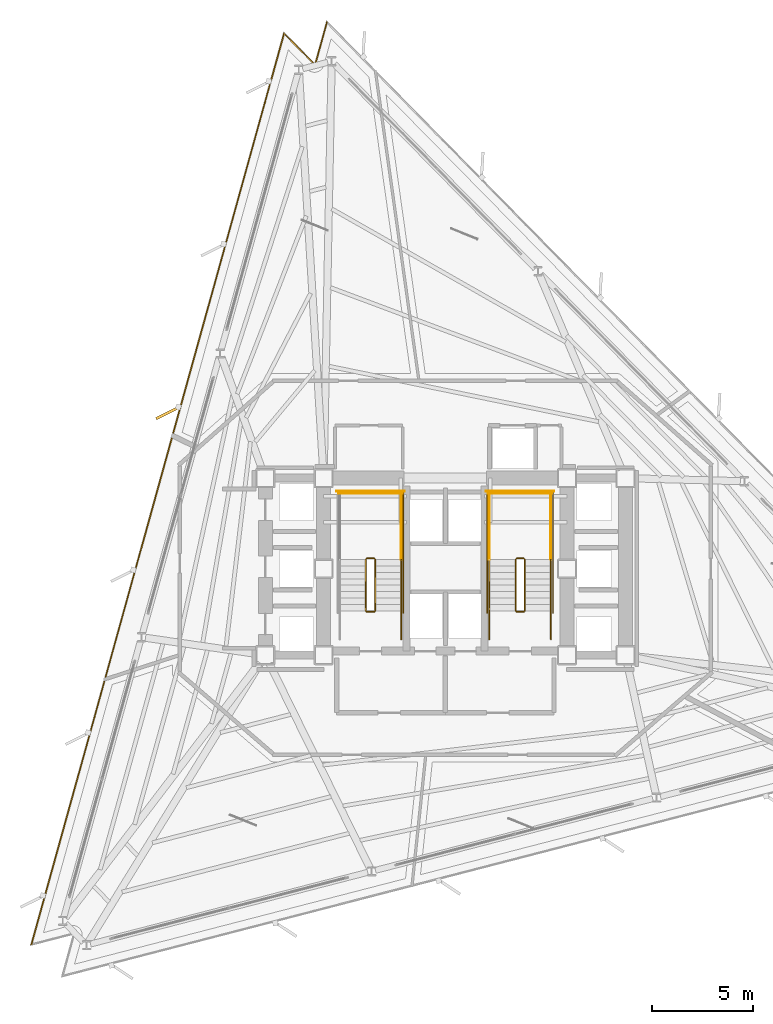
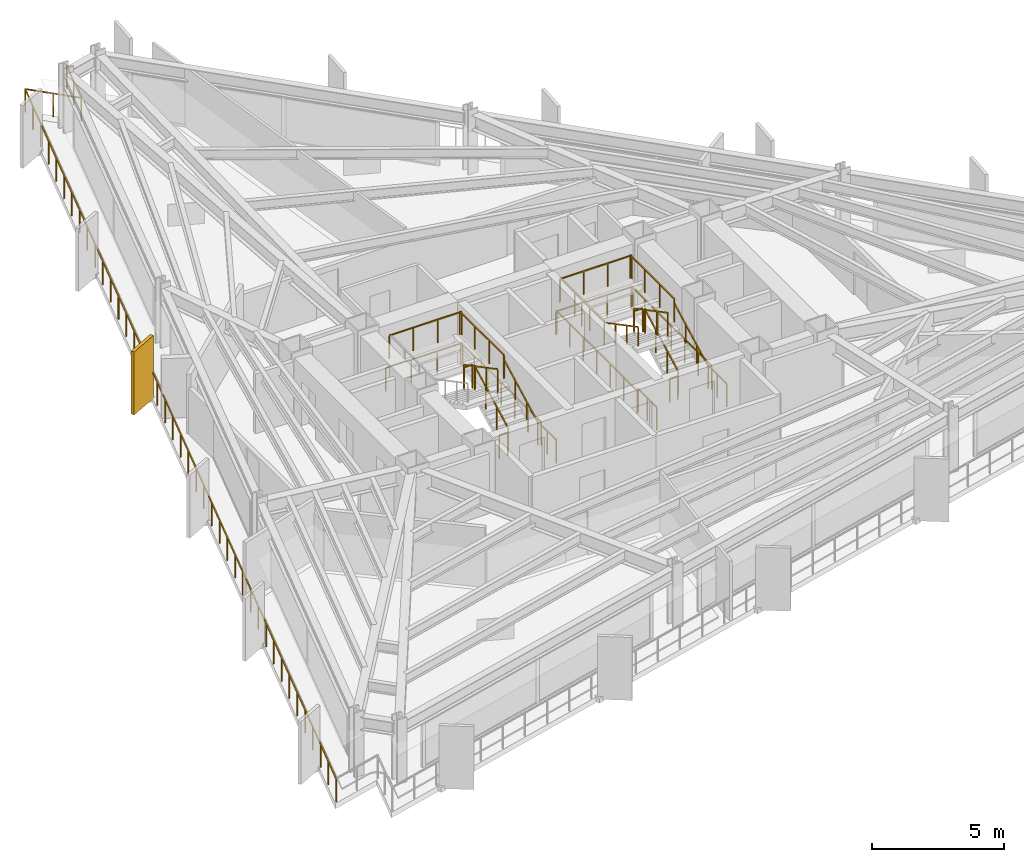
# One storey, part 10 of 11: 25 railings, 1 shading device.
"""IFC4 building model written with IfcOpenShell, lengths in metres."""

from ifc_helpers import new_model, si_unit, direction, frame, origin, origin_2d, place, context, subcontext, project, spatial, rectangle, extrude, material, layer, layer_set, type_object, element, save


model = new_model("IFC4")

# Units and contexts
model_context = context("Model", 3, precision=1e-05, world=origin(), true_north=direction((0.0, 1.0)))
body_context = subcontext(model_context, "Body", "Model", "MODEL_VIEW")
ifc_project = project(units=[si_unit("LENGTHUNIT", "METRE"), si_unit("AREAUNIT", "SQUARE_METRE"), si_unit("VOLUMEUNIT", "CUBIC_METRE"), si_unit("PLANEANGLEUNIT", "RADIAN"), si_unit("MASSUNIT", "GRAM", prefix="KILO")], contexts=[model_context])

# Site, building, storey
site_placement = place(None, origin())
site = spatial("IfcSite", under=ifc_project, at=site_placement, CompositionType="ELEMENT")
building_placement = place(site_placement, origin())
building = spatial("IfcBuilding", under=site, at=building_placement, Name="Rocaltana Carrier Exchange", CompositionType="ELEMENT")
storey_placement = place(building_placement, frame((0.0, 0.0, 85.60009765625)))
storey = spatial("IfcBuildingStorey", under=building, at=storey_placement, Name="L26", CompositionType="ELEMENT", Elevation=85.60009765625)

# Railings
ifc_material_1 = material(Name="Brushed Architectural Stainless Tube", Category="steel")
ifc_layer_1 = layer(ifc_material_1, 0.048095703125)
ifc_layer_set_1 = layer_set([ifc_layer_1], Name="Brushed Architectural Stainless Tube")
railing_type_1 = type_object("IfcRailingType", Name="Stair Wall Handrail 920", PredefinedType="HANDRAIL", material=ifc_layer_set_1)
for number, where, name in (
    (1, (-2.18994140625, -2.10009765625, 0.168701171875), "L26 ST-1 stair handrail 1"),
    (2, (5.25, -2.10009765625, 0.168701171875), "L26 ST-2 stair handrail 1"),
):
    element("IfcRailing", number, at=place(storey_placement, frame(where)), inside=storey, type_object=railing_type_1, Name=name, PredefinedType="HANDRAIL", context=body_context, shape_type="SweptSolid", body=[
        extrude(rectangle(XDim=0.048095703125, YDim=0.048095703125, at=origin_2d()), frame((0.0, 0.0, 0.8759765625), z_axis=(0.0, 0.884359608194, 0.46680625895), x_axis=(-1.0, 0.0, 0.0)), (0.0, 0.0, 1.0), 2.894775390625),
        extrude(rectangle(XDim=0.0419921875, YDim=0.0419921875, at=origin_2d()), origin(), (0.0, 0.0, 1.0), 0.851806640625),
        extrude(rectangle(XDim=0.0419921875, YDim=0.0419921875, at=origin_2d()), frame((0.0, 0.853271484375, 0.450439453125)), (0.0, 0.0, 1.0), 0.851806640625),
        extrude(rectangle(XDim=0.0419921875, YDim=0.0419921875, at=origin_2d()), frame((0.0, 1.706787109375, 0.90087890625)), (0.0, 0.0, 1.0), 0.851806640625),
        extrude(rectangle(XDim=0.0419921875, YDim=0.0419921875, at=origin_2d()), frame((0.0, 2.56005859375, 1.351318359375)), (0.0, 0.0, 1.0), 0.851806640625),
    ])
railing_1_placement = place(storey_placement, frame((2.18994140625, 0.4599609375, 1.688720703125)))
element("IfcRailing", 3, at=railing_1_placement, inside=storey, type_object=railing_type_1, Name="L26 ST-2 stair handrail 2", PredefinedType="HANDRAIL", context=body_context, shape_type="SweptSolid", body=[
    extrude(rectangle(XDim=0.048095703125, YDim=0.048095703125, at=origin_2d()), frame((0.0, 0.0, 0.8759765625), z_axis=(0.0, -0.884394423565, 0.466740295633), x_axis=(1.0, 0.0, 0.0)), (0.0, 0.0, 1.0), 2.894775390625),
    extrude(rectangle(XDim=0.0419921875, YDim=0.0419921875, at=origin_2d()), origin(), (0.0, 0.0, 1.0), 0.851806640625),
    extrude(rectangle(XDim=0.0419921875, YDim=0.0419921875, at=origin_2d()), frame((0.0, -0.853271484375, 0.450439453125)), (0.0, 0.0, 1.0), 0.851806640625),
    extrude(rectangle(XDim=0.0419921875, YDim=0.0419921875, at=origin_2d()), frame((0.0, -1.706787109375, 0.900634765625)), (0.0, 0.0, 1.0), 0.851806640625),
    extrude(rectangle(XDim=0.0419921875, YDim=0.0419921875, at=origin_2d()), frame((0.0, -2.56005859375, 1.35107421875)), (0.0, 0.0, 1.0), 0.851806640625),
])
ifc_material_2 = material(Name="Powder-Coated Aluminium 6063-T6", Category="aluminium")
ifc_layer_2 = layer(ifc_material_2, 0.048095703125)
ifc_layer_set_2 = layer_set([ifc_layer_2], Name="Powder-Coated Aluminium 6063-T6")
railing_type_2 = type_object("IfcRailingType", Name="Stair Well Guardrail 1100", PredefinedType="GUARDRAIL", material=ifc_layer_set_2)
railing_2_placement = place(storey_placement, frame((-3.489990234375, -2.10009765625, 0.168701171875)))
element("IfcRailing", 4, at=railing_2_placement, inside=storey, type_object=railing_type_2, Name="L26 ST-1 stair guard 1", PredefinedType="GUARDRAIL", context=body_context, shape_type="SweptSolid", body=[
    extrude(rectangle(XDim=0.048095703125, YDim=0.048095703125, at=origin_2d()), frame((0.0, 0.0, 1.076171875), z_axis=(0.0, 0.884359608194, 0.46680625895), x_axis=(-1.0, 0.0, 0.0)), (0.0, 0.0, 1.0), 2.894775390625),
    extrude(rectangle(XDim=0.0419921875, YDim=0.0419921875, at=origin_2d()), origin(), (0.0, 0.0, 1.0), 1.052001953125),
    extrude(rectangle(XDim=0.0419921875, YDim=0.0419921875, at=origin_2d()), frame((0.0, 0.853271484375, 0.450439453125)), (0.0, 0.0, 1.0), 1.052001953125),
    extrude(rectangle(XDim=0.0419921875, YDim=0.0419921875, at=origin_2d()), frame((0.0, 1.706787109375, 0.90087890625)), (0.0, 0.0, 1.0), 1.052001953125),
    extrude(rectangle(XDim=0.0419921875, YDim=0.0419921875, at=origin_2d()), frame((0.0, 2.56005859375, 1.351318359375)), (0.0, 0.0, 1.0), 1.052001953125),
])
railing_3_placement = place(storey_placement, frame((-3.5400390625, 0.510009765625, 1.52001953125)))
element("IfcRailing", 5, at=railing_3_placement, inside=storey, type_object=railing_type_2, Name="L26 ST-1 stair guard 2", PredefinedType="GUARDRAIL", context=body_context, shape_type="SweptSolid", body=[
    extrude(rectangle(XDim=0.048095703125, YDim=0.048095703125, at=origin_2d()), frame((0.0, 0.0, 1.076171875), z_axis=(-1.0, 0.0, 0.0), x_axis=(0.0, -1.0, 0.0)), (0.0, 0.0, 1.0), 0.35986328125),
    extrude(rectangle(XDim=0.0419921875, YDim=0.0419921875, at=origin_2d()), origin(), (0.0, 0.0, 1.0), 1.052001953125),
    extrude(rectangle(XDim=0.0419921875, YDim=0.0419921875, at=origin_2d()), frame((-0.35986328125, 0.0, 0.0)), (0.0, 0.0, 1.0), 1.052001953125),
])
railing_4_placement = place(storey_placement, frame((-2.18994140625, 0.4599609375, 1.52001953125)))
element("IfcRailing", 6, at=railing_4_placement, inside=storey, type_object=railing_type_2, Name="L26 ST-1 stair guard 3", PredefinedType="GUARDRAIL", context=body_context, shape_type="SweptSolid", body=[
    extrude(rectangle(XDim=0.048095703125, YDim=0.048095703125, at=origin_2d()), frame((0.0, 0.0, 1.076171875), z_axis=(0.0, 1.0, 0.0), x_axis=(-1.0, 0.0, 0.0)), (0.0, 0.0, 1.0), 3.340087890625),
    extrude(rectangle(XDim=0.0419921875, YDim=0.0419921875, at=origin_2d()), origin(), (0.0, 0.0, 1.0), 1.052001953125),
    extrude(rectangle(XDim=0.0419921875, YDim=0.0419921875, at=origin_2d()), frame((0.0, 1.11328125, 0.0)), (0.0, 0.0, 1.0), 1.052001953125),
    extrude(rectangle(XDim=0.0419921875, YDim=0.0419921875, at=origin_2d()), frame((0.0, 2.226806640625, 0.0)), (0.0, 0.0, 1.0), 1.052001953125),
    extrude(rectangle(XDim=0.0419921875, YDim=0.0419921875, at=origin_2d()), frame((0.0, 3.340087890625, 0.0)), (0.0, 0.0, 1.0), 1.052001953125),
])
railing_5_placement = place(storey_placement, frame((-2.139892578125, 3.75, 1.52001953125)))
element("IfcRailing", 7, at=railing_5_placement, inside=storey, type_object=railing_type_2, Name="L26 ST-1 stair guard 5", PredefinedType="GUARDRAIL", context=body_context, shape_type="SweptSolid", body=[
    extrude(rectangle(XDim=0.048095703125, YDim=0.048095703125, at=origin_2d()), frame((0.0, 0.0, 1.076171875), z_axis=(-1.0, 0.0, 0.0), x_axis=(0.0, -1.0, 0.0)), (0.0, 0.0, 1.0), 3.16015625),
    extrude(rectangle(XDim=0.0419921875, YDim=0.0419921875, at=origin_2d()), origin(), (0.0, 0.0, 1.0), 1.052001953125),
    extrude(rectangle(XDim=0.0419921875, YDim=0.0419921875, at=origin_2d()), frame((-1.053466796875, 0.0, 0.0)), (0.0, 0.0, 1.0), 1.052001953125),
    extrude(rectangle(XDim=0.0419921875, YDim=0.0419921875, at=origin_2d()), frame((-2.106689453125, 0.0, 0.0)), (0.0, 0.0, 1.0), 1.052001953125),
    extrude(rectangle(XDim=0.0419921875, YDim=0.0419921875, at=origin_2d()), frame((-3.16015625, 0.0, 0.0)), (0.0, 0.0, 1.0), 1.052001953125),
])
railing_6_placement = place(storey_placement, frame((-3.949951171875, 0.4599609375, 1.688720703125)))
element("IfcRailing", 8, at=railing_6_placement, inside=storey, type_object=railing_type_2, Name="L26 ST-1 stair guard 6", PredefinedType="GUARDRAIL", context=body_context, shape_type="SweptSolid", body=[
    extrude(rectangle(XDim=0.048095703125, YDim=0.048095703125, at=origin_2d()), frame((0.0, 0.0, 1.076171875), z_axis=(0.0, -0.884394423565, 0.466740295633), x_axis=(1.0, 0.0, 0.0)), (0.0, 0.0, 1.0), 2.894775390625),
    extrude(rectangle(XDim=0.0419921875, YDim=0.0419921875, at=origin_2d()), origin(), (0.0, 0.0, 1.0), 1.052001953125),
    extrude(rectangle(XDim=0.0419921875, YDim=0.0419921875, at=origin_2d()), frame((0.0, -0.853271484375, 0.450439453125)), (0.0, 0.0, 1.0), 1.052001953125),
    extrude(rectangle(XDim=0.0419921875, YDim=0.0419921875, at=origin_2d()), frame((0.0, -1.706787109375, 0.900634765625)), (0.0, 0.0, 1.0), 1.052001953125),
    extrude(rectangle(XDim=0.0419921875, YDim=0.0419921875, at=origin_2d()), frame((0.0, -2.56005859375, 1.35107421875)), (0.0, 0.0, 1.0), 1.052001953125),
])
railing_7_placement = place(storey_placement, frame((-3.5400390625, -2.14990234375, 0.0)))
element("IfcRailing", 9, at=railing_7_placement, inside=storey, type_object=railing_type_2, Name="L26 ST-1 stair guard 7", PredefinedType="GUARDRAIL", context=body_context, shape_type="SweptSolid", body=[
    extrude(rectangle(XDim=0.048095703125, YDim=0.048095703125, at=origin_2d()), frame((0.0, 0.0, 1.076171875), z_axis=(-1.0, 0.0, 0.0), x_axis=(0.0, -1.0, 0.0)), (0.0, 0.0, 1.0), 0.35986328125),
    extrude(rectangle(XDim=0.0419921875, YDim=0.0419921875, at=origin_2d()), origin(), (0.0, 0.0, 1.0), 1.052001953125),
    extrude(rectangle(XDim=0.0419921875, YDim=0.0419921875, at=origin_2d()), frame((-0.35986328125, 0.0, 0.0)), (0.0, 0.0, 1.0), 1.052001953125),
])
railing_8_placement = place(storey_placement, frame((-2.18994140625, -3.5, 0.0)))
element("IfcRailing", 10, at=railing_8_placement, inside=storey, type_object=railing_type_2, Name="L26 ST-1 stair guard 8", PredefinedType="GUARDRAIL", context=body_context, shape_type="SweptSolid", body=[
    extrude(rectangle(XDim=0.048095703125, YDim=0.048095703125, at=origin_2d()), frame((0.0, 0.0, 1.076171875), z_axis=(0.0, 1.0, 0.0), x_axis=(-1.0, 0.0, 0.0)), (0.0, 0.0, 1.0), 1.39990234375),
    extrude(rectangle(XDim=0.0419921875, YDim=0.0419921875, at=origin_2d()), origin(), (0.0, 0.0, 1.0), 1.052001953125),
    extrude(rectangle(XDim=0.0419921875, YDim=0.0419921875, at=origin_2d()), frame((0.0, 0.699951171875, 0.0)), (0.0, 0.0, 1.0), 1.052001953125),
    extrude(rectangle(XDim=0.0419921875, YDim=0.0419921875, at=origin_2d()), frame((0.0, 1.39990234375, 0.0)), (0.0, 0.0, 1.0), 1.052001953125),
])
railing_9_placement = place(storey_placement, frame((-2.090087890625, -2.199951171875, 0.0)))
element("IfcRailing", 11, at=railing_9_placement, inside=storey, type_object=railing_type_2, Name="L26 ST-1 stair guard 10", PredefinedType="GUARDRAIL", context=body_context, shape_type="SweptSolid", body=[
    extrude(rectangle(XDim=0.048095703125, YDim=0.048095703125, at=origin_2d()), frame((0.0, 0.0, 1.076171875), z_axis=(0.0, 1.0, 0.0), x_axis=(-1.0, 0.0, 0.0)), (0.0, 0.0, 1.0), 6.099853515625),
    extrude(rectangle(XDim=0.0419921875, YDim=0.0419921875, at=origin_2d()), origin(), (0.0, 0.0, 1.0), 1.052001953125),
    extrude(rectangle(XDim=0.0419921875, YDim=0.0419921875, at=origin_2d()), frame((0.0, 1.0166015625, 0.0)), (0.0, 0.0, 1.0), 1.052001953125),
    extrude(rectangle(XDim=0.0419921875, YDim=0.0419921875, at=origin_2d()), frame((0.0, 2.033203125, 0.0)), (0.0, 0.0, 1.0), 1.052001953125),
    extrude(rectangle(XDim=0.0419921875, YDim=0.0419921875, at=origin_2d()), frame((0.0, 3.0498046875, 0.0)), (0.0, 0.0, 1.0), 1.052001953125),
    extrude(rectangle(XDim=0.0419921875, YDim=0.0419921875, at=origin_2d()), frame((0.0, 4.066650390625, 0.0)), (0.0, 0.0, 1.0), 1.052001953125),
    extrude(rectangle(XDim=0.0419921875, YDim=0.0419921875, at=origin_2d()), frame((0.0, 5.083251953125, 0.0)), (0.0, 0.0, 1.0), 1.052001953125),
    extrude(rectangle(XDim=0.0419921875, YDim=0.0419921875, at=origin_2d()), frame((0.0, 6.099853515625, 0.0)), (0.0, 0.0, 1.0), 1.052001953125),
])
railing_10_placement = place(storey_placement, frame((-2.0400390625, 3.85009765625, 0.0)))
element("IfcRailing", 12, at=railing_10_placement, inside=storey, type_object=railing_type_2, Name="L26 ST-1 stair guard 12", PredefinedType="GUARDRAIL", context=body_context, shape_type="SweptSolid", body=[
    extrude(rectangle(XDim=0.048095703125, YDim=0.048095703125, at=origin_2d()), frame((0.0, 0.0, 1.076171875), z_axis=(-1.0, 0.0, 0.0), x_axis=(0.0, -1.0, 0.0)), (0.0, 0.0, 1.0), 3.35986328125),
    extrude(rectangle(XDim=0.0419921875, YDim=0.0419921875, at=origin_2d()), origin(), (0.0, 0.0, 1.0), 1.052001953125),
    extrude(rectangle(XDim=0.0419921875, YDim=0.0419921875, at=origin_2d()), frame((-1.119873046875, 0.0, 0.0)), (0.0, 0.0, 1.0), 1.052001953125),
    extrude(rectangle(XDim=0.0419921875, YDim=0.0419921875, at=origin_2d()), frame((-2.239990234375, 0.0, 0.0)), (0.0, 0.0, 1.0), 1.052001953125),
    extrude(rectangle(XDim=0.0419921875, YDim=0.0419921875, at=origin_2d()), frame((-3.35986328125, 0.0, 0.0)), (0.0, 0.0, 1.0), 1.052001953125),
])
railing_11_placement = place(storey_placement, frame((3.949951171875, -2.10009765625, 0.168701171875)))
element("IfcRailing", 13, at=railing_11_placement, inside=storey, type_object=railing_type_2, Name="L26 ST-2 stair guard 1", PredefinedType="GUARDRAIL", context=body_context, shape_type="SweptSolid", body=[
    extrude(rectangle(XDim=0.048095703125, YDim=0.048095703125, at=origin_2d()), frame((0.0, 0.0, 1.076171875), z_axis=(0.0, 0.884359608194, 0.46680625895), x_axis=(-1.0, 0.0, 0.0)), (0.0, 0.0, 1.0), 2.894775390625),
    extrude(rectangle(XDim=0.0419921875, YDim=0.0419921875, at=origin_2d()), origin(), (0.0, 0.0, 1.0), 1.052001953125),
    extrude(rectangle(XDim=0.0419921875, YDim=0.0419921875, at=origin_2d()), frame((0.0, 0.853271484375, 0.450439453125)), (0.0, 0.0, 1.0), 1.052001953125),
    extrude(rectangle(XDim=0.0419921875, YDim=0.0419921875, at=origin_2d()), frame((0.0, 1.706787109375, 0.90087890625)), (0.0, 0.0, 1.0), 1.052001953125),
    extrude(rectangle(XDim=0.0419921875, YDim=0.0419921875, at=origin_2d()), frame((0.0, 2.56005859375, 1.351318359375)), (0.0, 0.0, 1.0), 1.052001953125),
])
railing_12_placement = place(storey_placement, frame((3.89990234375, 0.510009765625, 1.52001953125)))
element("IfcRailing", 14, at=railing_12_placement, inside=storey, type_object=railing_type_2, Name="L26 ST-2 stair guard 2", PredefinedType="GUARDRAIL", context=body_context, shape_type="SweptSolid", body=[
    extrude(rectangle(XDim=0.048095703125, YDim=0.048095703125, at=origin_2d()), frame((0.0, 0.0, 1.076171875), z_axis=(-1.0, 0.0, 0.0), x_axis=(0.0, -1.0, 0.0)), (0.0, 0.0, 1.0), 0.35986328125),
    extrude(rectangle(XDim=0.0419921875, YDim=0.0419921875, at=origin_2d()), origin(), (0.0, 0.0, 1.0), 1.052001953125),
    extrude(rectangle(XDim=0.0419921875, YDim=0.0419921875, at=origin_2d()), frame((-0.35986328125, 0.0, 0.0)), (0.0, 0.0, 1.0), 1.052001953125),
])
for number, where, name in (
    (15, (5.25, 0.4599609375, 1.52001953125), "L26 ST-2 stair guard 3"),
    (16, (2.18994140625, 0.4599609375, 1.52001953125), "L26 ST-2 stair guard 4"),
):
    element("IfcRailing", number, at=place(storey_placement, frame(where)), inside=storey, type_object=railing_type_2, Name=name, PredefinedType="GUARDRAIL", context=body_context, shape_type="SweptSolid", body=[
        extrude(rectangle(XDim=0.048095703125, YDim=0.048095703125, at=origin_2d()), frame((0.0, 0.0, 1.076171875), z_axis=(0.0, 1.0, 0.0), x_axis=(-1.0, 0.0, 0.0)), (0.0, 0.0, 1.0), 3.340087890625),
        extrude(rectangle(XDim=0.0419921875, YDim=0.0419921875, at=origin_2d()), origin(), (0.0, 0.0, 1.0), 1.052001953125),
        extrude(rectangle(XDim=0.0419921875, YDim=0.0419921875, at=origin_2d()), frame((0.0, 1.11328125, 0.0)), (0.0, 0.0, 1.0), 1.052001953125),
        extrude(rectangle(XDim=0.0419921875, YDim=0.0419921875, at=origin_2d()), frame((0.0, 2.226806640625, 0.0)), (0.0, 0.0, 1.0), 1.052001953125),
        extrude(rectangle(XDim=0.0419921875, YDim=0.0419921875, at=origin_2d()), frame((0.0, 3.340087890625, 0.0)), (0.0, 0.0, 1.0), 1.052001953125),
    ])
railing_13_placement = place(storey_placement, frame((5.300048828125, 3.75, 1.52001953125)))
element("IfcRailing", 17, at=railing_13_placement, inside=storey, type_object=railing_type_2, Name="L26 ST-2 stair guard 5", PredefinedType="GUARDRAIL", context=body_context, shape_type="SweptSolid", body=[
    extrude(rectangle(XDim=0.048095703125, YDim=0.048095703125, at=origin_2d()), frame((0.0, 0.0, 1.076171875), z_axis=(-1.0, 0.0, 0.0), x_axis=(0.0, -1.0, 0.0)), (0.0, 0.0, 1.0), 3.16015625),
    extrude(rectangle(XDim=0.0419921875, YDim=0.0419921875, at=origin_2d()), origin(), (0.0, 0.0, 1.0), 1.052001953125),
    extrude(rectangle(XDim=0.0419921875, YDim=0.0419921875, at=origin_2d()), frame((-1.053466796875, 0.0, 0.0)), (0.0, 0.0, 1.0), 1.052001953125),
    extrude(rectangle(XDim=0.0419921875, YDim=0.0419921875, at=origin_2d()), frame((-2.106689453125, 0.0, 0.0)), (0.0, 0.0, 1.0), 1.052001953125),
    extrude(rectangle(XDim=0.0419921875, YDim=0.0419921875, at=origin_2d()), frame((-3.16015625, 0.0, 0.0)), (0.0, 0.0, 1.0), 1.052001953125),
])
railing_14_placement = place(storey_placement, frame((3.489990234375, 0.4599609375, 1.688720703125)))
element("IfcRailing", 18, at=railing_14_placement, inside=storey, type_object=railing_type_2, Name="L26 ST-2 stair guard 6", PredefinedType="GUARDRAIL", context=body_context, shape_type="SweptSolid", body=[
    extrude(rectangle(XDim=0.048095703125, YDim=0.048095703125, at=origin_2d()), frame((0.0, 0.0, 1.076171875), z_axis=(0.0, -0.884394423565, 0.466740295633), x_axis=(1.0, 0.0, 0.0)), (0.0, 0.0, 1.0), 2.894775390625),
    extrude(rectangle(XDim=0.0419921875, YDim=0.0419921875, at=origin_2d()), origin(), (0.0, 0.0, 1.0), 1.052001953125),
    extrude(rectangle(XDim=0.0419921875, YDim=0.0419921875, at=origin_2d()), frame((0.0, -0.853271484375, 0.450439453125)), (0.0, 0.0, 1.0), 1.052001953125),
    extrude(rectangle(XDim=0.0419921875, YDim=0.0419921875, at=origin_2d()), frame((0.0, -1.706787109375, 0.900634765625)), (0.0, 0.0, 1.0), 1.052001953125),
    extrude(rectangle(XDim=0.0419921875, YDim=0.0419921875, at=origin_2d()), frame((0.0, -2.56005859375, 1.35107421875)), (0.0, 0.0, 1.0), 1.052001953125),
])
railing_15_placement = place(storey_placement, frame((3.89990234375, -2.14990234375, 0.0)))
element("IfcRailing", 19, at=railing_15_placement, inside=storey, type_object=railing_type_2, Name="L26 ST-2 stair guard 7", PredefinedType="GUARDRAIL", context=body_context, shape_type="SweptSolid", body=[
    extrude(rectangle(XDim=0.048095703125, YDim=0.048095703125, at=origin_2d()), frame((0.0, 0.0, 1.076171875), z_axis=(-1.0, 0.0, 0.0), x_axis=(0.0, -1.0, 0.0)), (0.0, 0.0, 1.0), 0.35986328125),
    extrude(rectangle(XDim=0.0419921875, YDim=0.0419921875, at=origin_2d()), origin(), (0.0, 0.0, 1.0), 1.052001953125),
    extrude(rectangle(XDim=0.0419921875, YDim=0.0419921875, at=origin_2d()), frame((-0.35986328125, 0.0, 0.0)), (0.0, 0.0, 1.0), 1.052001953125),
])
for number, where, name in (
    (20, (5.25, -3.5, 0.0), "L26 ST-2 stair guard 8"),
    (21, (2.18994140625, -3.5, 0.0), "L26 ST-2 stair guard 9"),
):
    element("IfcRailing", number, at=place(storey_placement, frame(where)), inside=storey, type_object=railing_type_2, Name=name, PredefinedType="GUARDRAIL", context=body_context, shape_type="SweptSolid", body=[
        extrude(rectangle(XDim=0.048095703125, YDim=0.048095703125, at=origin_2d()), frame((0.0, 0.0, 1.076171875), z_axis=(0.0, 1.0, 0.0), x_axis=(-1.0, 0.0, 0.0)), (0.0, 0.0, 1.0), 1.39990234375),
        extrude(rectangle(XDim=0.0419921875, YDim=0.0419921875, at=origin_2d()), origin(), (0.0, 0.0, 1.0), 1.052001953125),
        extrude(rectangle(XDim=0.0419921875, YDim=0.0419921875, at=origin_2d()), frame((0.0, 0.699951171875, 0.0)), (0.0, 0.0, 1.0), 1.052001953125),
        extrude(rectangle(XDim=0.0419921875, YDim=0.0419921875, at=origin_2d()), frame((0.0, 1.39990234375, 0.0)), (0.0, 0.0, 1.0), 1.052001953125),
    ])
for number, where, name in (
    (22, (5.35009765625, -2.199951171875, 0.0), "L26 ST-2 stair guard 10"),
    (23, (2.090087890625, -2.199951171875, 0.0), "L26 ST-2 stair guard 11"),
):
    element("IfcRailing", number, at=place(storey_placement, frame(where)), inside=storey, type_object=railing_type_2, Name=name, PredefinedType="GUARDRAIL", context=body_context, shape_type="SweptSolid", body=[
        extrude(rectangle(XDim=0.048095703125, YDim=0.048095703125, at=origin_2d()), frame((0.0, 0.0, 1.076171875), z_axis=(0.0, 1.0, 0.0), x_axis=(-1.0, 0.0, 0.0)), (0.0, 0.0, 1.0), 6.099853515625),
        extrude(rectangle(XDim=0.0419921875, YDim=0.0419921875, at=origin_2d()), origin(), (0.0, 0.0, 1.0), 1.052001953125),
        extrude(rectangle(XDim=0.0419921875, YDim=0.0419921875, at=origin_2d()), frame((0.0, 1.0166015625, 0.0)), (0.0, 0.0, 1.0), 1.052001953125),
        extrude(rectangle(XDim=0.0419921875, YDim=0.0419921875, at=origin_2d()), frame((0.0, 2.033203125, 0.0)), (0.0, 0.0, 1.0), 1.052001953125),
        extrude(rectangle(XDim=0.0419921875, YDim=0.0419921875, at=origin_2d()), frame((0.0, 3.0498046875, 0.0)), (0.0, 0.0, 1.0), 1.052001953125),
        extrude(rectangle(XDim=0.0419921875, YDim=0.0419921875, at=origin_2d()), frame((0.0, 4.066650390625, 0.0)), (0.0, 0.0, 1.0), 1.052001953125),
        extrude(rectangle(XDim=0.0419921875, YDim=0.0419921875, at=origin_2d()), frame((0.0, 5.083251953125, 0.0)), (0.0, 0.0, 1.0), 1.052001953125),
        extrude(rectangle(XDim=0.0419921875, YDim=0.0419921875, at=origin_2d()), frame((0.0, 6.099853515625, 0.0)), (0.0, 0.0, 1.0), 1.052001953125),
    ])
railing_16_placement = place(storey_placement, frame((5.39990234375, 3.85009765625, 0.0)))
element("IfcRailing", 24, at=railing_16_placement, inside=storey, type_object=railing_type_2, Name="L26 ST-2 stair guard 12", PredefinedType="GUARDRAIL", context=body_context, shape_type="SweptSolid", body=[
    extrude(rectangle(XDim=0.048095703125, YDim=0.048095703125, at=origin_2d()), frame((0.0, 0.0, 1.076171875), z_axis=(-1.0, 0.0, 0.0), x_axis=(0.0, -1.0, 0.0)), (0.0, 0.0, 1.0), 3.35986328125),
    extrude(rectangle(XDim=0.0419921875, YDim=0.0419921875, at=origin_2d()), origin(), (0.0, 0.0, 1.0), 1.052001953125),
    extrude(rectangle(XDim=0.0419921875, YDim=0.0419921875, at=origin_2d()), frame((-1.119873046875, 0.0, 0.0)), (0.0, 0.0, 1.0), 1.052001953125),
    extrude(rectangle(XDim=0.0419921875, YDim=0.0419921875, at=origin_2d()), frame((-2.239990234375, 0.0, 0.0)), (0.0, 0.0, 1.0), 1.052001953125),
    extrude(rectangle(XDim=0.0419921875, YDim=0.0419921875, at=origin_2d()), frame((-3.35986328125, 0.0, 0.0)), (0.0, 0.0, 1.0), 1.052001953125),
])

# Shading device
ifc_material_3 = material(Name="Honed Bogota Sandstone & Concrete C45/55", Category="masonry")
ifc_layer_3 = layer(ifc_material_3, 0.139892578125)
ifc_layer_set_3 = layer_set([ifc_layer_3], Name="Honed Bogota Sandstone & Concrete C45/55")
shading_device_type = type_object("IfcShadingDeviceType", Name="Vertical Sandstone Shading Fin 1320x140", PredefinedType="USERDEFINED", material=ifc_layer_set_3)
shading_device_placement = place(storey_placement, frame((-13.786376953125, 7.751220703125, -0.1201171875), z_axis=(0.0, 0.0, 1.0), x_axis=(-0.894934361602, -0.44619781311, 0.0)))
element("IfcShadingDevice", 25, at=shading_device_placement, inside=storey, type_object=shading_device_type, Name="L26 Sandstone Vertical Fin F2-03", ObjectType="FIN", PredefinedType="USERDEFINED", context=body_context, shape_type="SweptSolid", body=[
    extrude(rectangle(XDim=1.320068359375, YDim=0.139892578125, at=origin_2d()), origin(), (0.0, 0.0, 1.0), 2.907958984375),
])

# Railing
ifc_material_4 = material(Name="Powder-Coated Aluminium 6063-T6", Category="aluminium")
ifc_layer_4 = layer(ifc_material_4, 0.06005859375)
ifc_layer_set_4 = layer_set([ifc_layer_4], Name="Powder-Coated Aluminium 6063-T6")
railing_type_3 = type_object("IfcRailingType", Name="Wind-Floor & Terrace Perimeter Guardrail 1100", PredefinedType="GUARDRAIL", material=ifc_layer_set_4)
railing_17_placement = place(storey_placement, frame((-20.5751953125, -18.677001953125, 0.0)))
element("IfcRailing", 26, at=railing_17_placement, inside=storey, type_object=railing_type_3, Name="L26 Perimeter Balcony Guardrail 2", PredefinedType="GUARDRAIL", context=body_context, shape_type="SweptSolid", body=[
    extrude(rectangle(XDim=0.048095703125, YDim=0.048095703125, at=origin_2d()), frame((0.0, 0.0, 1.076171875), z_axis=(0.267237621402, 0.963630662499, 0.0), x_axis=(-0.963630662499, 0.267237621402, 0.0)), (0.0, 0.0, 1.0), 46.9921875),
    extrude(rectangle(XDim=0.048095703125, YDim=0.048095703125, at=origin_2d()), frame((12.55810546875, 45.283203125, 1.076171875), z_axis=(0.700920820206, -0.713239093012, 0.0), x_axis=(0.713239093012, 0.700920820206, 0.0)), (0.0, 0.0, 1.0), 2.199951171875),
    extrude(rectangle(XDim=0.048095703125, YDim=0.048095703125, at=origin_2d()), frame((14.10009765625, 43.714111328125, 1.076171875), z_axis=(0.267237446942, 0.96363071088, 0.0), x_axis=(-0.96363071088, 0.267237446942, 0.0)), (0.0, 0.0, 1.0), 2.199951171875),
    extrude(rectangle(XDim=0.0419921875, YDim=0.0419921875, at=origin_2d()), origin(), (0.0, 0.0, 1.0), 1.052001953125),
    extrude(rectangle(XDim=0.0419921875, YDim=0.0419921875, at=origin_2d()), frame((0.31396484375, 1.132080078125, 0.0)), (0.0, 0.0, 1.0), 1.052001953125),
    extrude(rectangle(XDim=0.0419921875, YDim=0.0419921875, at=origin_2d()), frame((0.6279296875, 2.26416015625, 0.0)), (0.0, 0.0, 1.0), 1.052001953125),
    extrude(rectangle(XDim=0.0419921875, YDim=0.0419921875, at=origin_2d()), frame((0.94189453125, 3.396240234375, 0.0)), (0.0, 0.0, 1.0), 1.052001953125),
    extrude(rectangle(XDim=0.0419921875, YDim=0.0419921875, at=origin_2d()), frame((1.255859375, 4.5283203125, 0.0)), (0.0, 0.0, 1.0), 1.052001953125),
    extrude(rectangle(XDim=0.0419921875, YDim=0.0419921875, at=origin_2d()), frame((1.56982421875, 5.660400390625, 0.0)), (0.0, 0.0, 1.0), 1.052001953125),
    extrude(rectangle(XDim=0.0419921875, YDim=0.0419921875, at=origin_2d()), frame((1.8837890625, 6.79248046875, 0.0)), (0.0, 0.0, 1.0), 1.052001953125),
    extrude(rectangle(XDim=0.0419921875, YDim=0.0419921875, at=origin_2d()), frame((2.19775390625, 7.924560546875, 0.0)), (0.0, 0.0, 1.0), 1.052001953125),
    extrude(rectangle(XDim=0.0419921875, YDim=0.0419921875, at=origin_2d()), frame((2.51171875, 9.056640625, 0.0)), (0.0, 0.0, 1.0), 1.052001953125),
    extrude(rectangle(XDim=0.0419921875, YDim=0.0419921875, at=origin_2d()), frame((2.82568359375, 10.188720703125, 0.0)), (0.0, 0.0, 1.0), 1.052001953125),
    extrude(rectangle(XDim=0.0419921875, YDim=0.0419921875, at=origin_2d()), frame((3.1396484375, 11.32080078125, 0.0)), (0.0, 0.0, 1.0), 1.052001953125),
    extrude(rectangle(XDim=0.0419921875, YDim=0.0419921875, at=origin_2d()), frame((3.453369140625, 12.452880859375, 0.0)), (0.0, 0.0, 1.0), 1.052001953125),
    extrude(rectangle(XDim=0.0419921875, YDim=0.0419921875, at=origin_2d()), frame((3.767333984375, 13.5849609375, 0.0)), (0.0, 0.0, 1.0), 1.052001953125),
    extrude(rectangle(XDim=0.0419921875, YDim=0.0419921875, at=origin_2d()), frame((4.081298828125, 14.717041015625, 0.0)), (0.0, 0.0, 1.0), 1.052001953125),
    extrude(rectangle(XDim=0.0419921875, YDim=0.0419921875, at=origin_2d()), frame((4.395263671875, 15.84912109375, 0.0)), (0.0, 0.0, 1.0), 1.052001953125),
    extrude(rectangle(XDim=0.0419921875, YDim=0.0419921875, at=origin_2d()), frame((4.709228515625, 16.981201171875, 0.0)), (0.0, 0.0, 1.0), 1.052001953125),
    extrude(rectangle(XDim=0.0419921875, YDim=0.0419921875, at=origin_2d()), frame((5.023193359375, 18.11328125, 0.0)), (0.0, 0.0, 1.0), 1.052001953125),
    extrude(rectangle(XDim=0.0419921875, YDim=0.0419921875, at=origin_2d()), frame((5.337158203125, 19.245361328125, 0.0)), (0.0, 0.0, 1.0), 1.052001953125),
    extrude(rectangle(XDim=0.0419921875, YDim=0.0419921875, at=origin_2d()), frame((5.651123046875, 20.37744140625, 0.0)), (0.0, 0.0, 1.0), 1.052001953125),
    extrude(rectangle(XDim=0.0419921875, YDim=0.0419921875, at=origin_2d()), frame((5.965087890625, 21.509521484375, 0.0)), (0.0, 0.0, 1.0), 1.052001953125),
    extrude(rectangle(XDim=0.0419921875, YDim=0.0419921875, at=origin_2d()), frame((6.279052734375, 22.6416015625, 0.0)), (0.0, 0.0, 1.0), 1.052001953125),
    extrude(rectangle(XDim=0.0419921875, YDim=0.0419921875, at=origin_2d()), frame((6.593017578125, 23.773681640625, 0.0)), (0.0, 0.0, 1.0), 1.052001953125),
    extrude(rectangle(XDim=0.0419921875, YDim=0.0419921875, at=origin_2d()), frame((6.906982421875, 24.90576171875, 0.0)), (0.0, 0.0, 1.0), 1.052001953125),
    extrude(rectangle(XDim=0.0419921875, YDim=0.0419921875, at=origin_2d()), frame((7.220947265625, 26.037841796875, 0.0)), (0.0, 0.0, 1.0), 1.052001953125),
    extrude(rectangle(XDim=0.0419921875, YDim=0.0419921875, at=origin_2d()), frame((7.534912109375, 27.169921875, 0.0)), (0.0, 0.0, 1.0), 1.052001953125),
    extrude(rectangle(XDim=0.0419921875, YDim=0.0419921875, at=origin_2d()), frame((7.848876953125, 28.302001953125, 0.0)), (0.0, 0.0, 1.0), 1.052001953125),
    extrude(rectangle(XDim=0.0419921875, YDim=0.0419921875, at=origin_2d()), frame((8.162841796875, 29.43408203125, 0.0)), (0.0, 0.0, 1.0), 1.052001953125),
    extrude(rectangle(XDim=0.0419921875, YDim=0.0419921875, at=origin_2d()), frame((8.476806640625, 30.566162109375, 0.0)), (0.0, 0.0, 1.0), 1.052001953125),
    extrude(rectangle(XDim=0.0419921875, YDim=0.0419921875, at=origin_2d()), frame((8.790771484375, 31.6982421875, 0.0)), (0.0, 0.0, 1.0), 1.052001953125),
    extrude(rectangle(XDim=0.0419921875, YDim=0.0419921875, at=origin_2d()), frame((9.104736328125, 32.830322265625, 0.0)), (0.0, 0.0, 1.0), 1.052001953125),
    extrude(rectangle(XDim=0.0419921875, YDim=0.0419921875, at=origin_2d()), frame((9.41845703125, 33.96240234375, 0.0)), (0.0, 0.0, 1.0), 1.052001953125),
    extrude(rectangle(XDim=0.0419921875, YDim=0.0419921875, at=origin_2d()), frame((9.732421875, 35.094482421875, 0.0)), (0.0, 0.0, 1.0), 1.052001953125),
    extrude(rectangle(XDim=0.0419921875, YDim=0.0419921875, at=origin_2d()), frame((10.04638671875, 36.2265625, 0.0)), (0.0, 0.0, 1.0), 1.052001953125),
    extrude(rectangle(XDim=0.0419921875, YDim=0.0419921875, at=origin_2d()), frame((10.3603515625, 37.358642578125, 0.0)), (0.0, 0.0, 1.0), 1.052001953125),
    extrude(rectangle(XDim=0.0419921875, YDim=0.0419921875, at=origin_2d()), frame((10.67431640625, 38.49072265625, 0.0)), (0.0, 0.0, 1.0), 1.052001953125),
    extrude(rectangle(XDim=0.0419921875, YDim=0.0419921875, at=origin_2d()), frame((10.98828125, 39.622802734375, 0.0)), (0.0, 0.0, 1.0), 1.052001953125),
    extrude(rectangle(XDim=0.0419921875, YDim=0.0419921875, at=origin_2d()), frame((11.30224609375, 40.7548828125, 0.0)), (0.0, 0.0, 1.0), 1.052001953125),
    extrude(rectangle(XDim=0.0419921875, YDim=0.0419921875, at=origin_2d()), frame((11.6162109375, 41.886962890625, 0.0)), (0.0, 0.0, 1.0), 1.052001953125),
    extrude(rectangle(XDim=0.0419921875, YDim=0.0419921875, at=origin_2d()), frame((11.93017578125, 43.01904296875, 0.0)), (0.0, 0.0, 1.0), 1.052001953125),
    extrude(rectangle(XDim=0.0419921875, YDim=0.0419921875, at=origin_2d()), frame((12.244140625, 44.151123046875, 0.0)), (0.0, 0.0, 1.0), 1.052001953125),
    extrude(rectangle(XDim=0.0419921875, YDim=0.0419921875, at=origin_2d()), frame((12.55810546875, 45.283203125, 0.0)), (0.0, 0.0, 1.0), 1.052001953125),
    extrude(rectangle(XDim=0.0419921875, YDim=0.0419921875, at=origin_2d()), frame((13.3291015625, 44.49853515625, 0.0)), (0.0, 0.0, 1.0), 1.052001953125),
    extrude(rectangle(XDim=0.0419921875, YDim=0.0419921875, at=origin_2d()), frame((14.10009765625, 43.714111328125, 0.0)), (0.0, 0.0, 1.0), 1.052001953125),
    extrude(rectangle(XDim=0.0419921875, YDim=0.0419921875, at=origin_2d()), frame((14.39404296875, 44.77392578125, 0.0)), (0.0, 0.0, 1.0), 1.052001953125),
    extrude(rectangle(XDim=0.0419921875, YDim=0.0419921875, at=origin_2d()), frame((14.68798828125, 45.833984375, 0.0)), (0.0, 0.0, 1.0), 1.052001953125),
])

save(model, "model.ifc")
